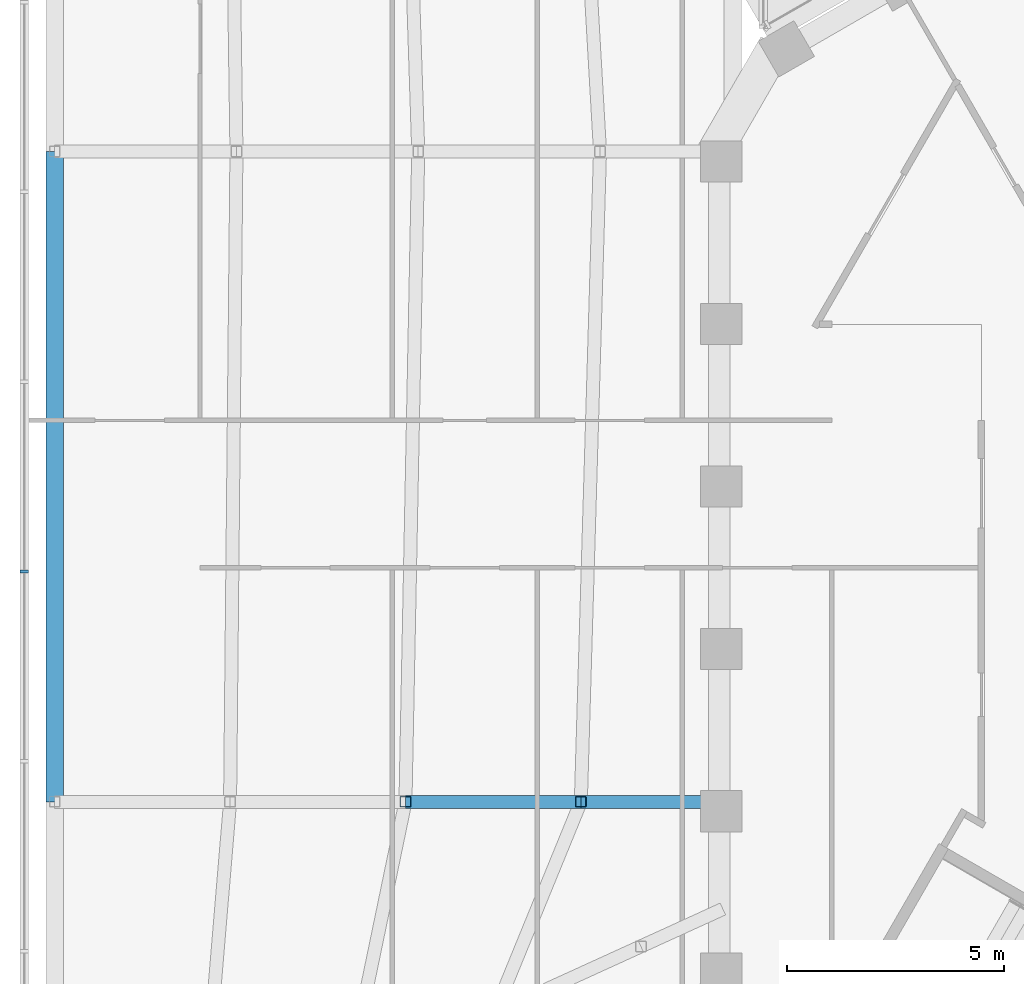
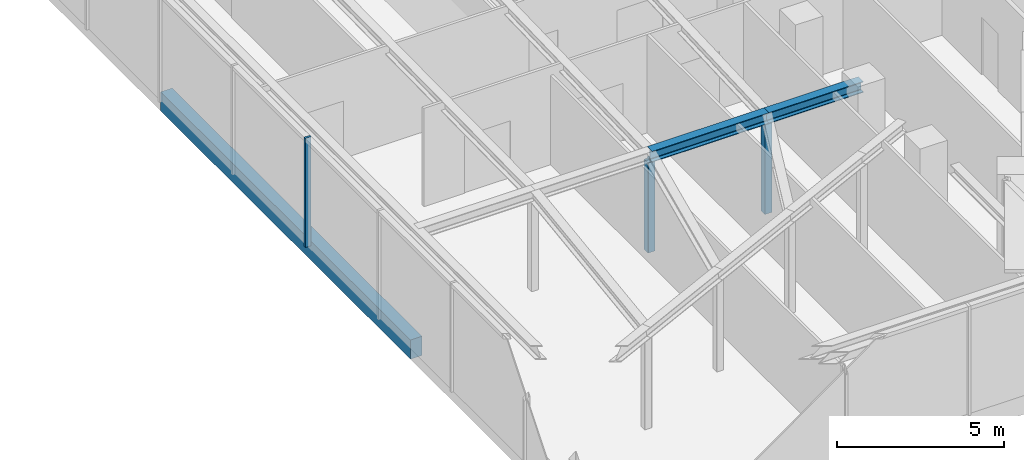
# One storey, part 3 of 24: 3 beams, 3 members, 1 element without a shape of its own.
"""IFC4 building model written with IfcOpenShell, lengths in metres."""

from ifc_helpers import new_model, si_unit, direction, frame, origin, origin_2d, place, context, subcontext, project, spatial, rectangle, hollow_rectangle, i_section, extrude, material, layer, layer_set, material_profile, profile_set, type_object, element, aggregate, save


model = new_model("IFC4")

# Units and contexts
model_context = context("Model", 3, precision=1e-05, world=origin(), true_north=direction((0.0, 1.0)))
body_context = subcontext(model_context, "Body", "Model", "MODEL_VIEW")
ifc_project = project(units=[si_unit("LENGTHUNIT", "METRE"), si_unit("AREAUNIT", "SQUARE_METRE"), si_unit("VOLUMEUNIT", "CUBIC_METRE"), si_unit("PLANEANGLEUNIT", "RADIAN"), si_unit("MASSUNIT", "GRAM", prefix="KILO")], contexts=[model_context])

# Site, building, storey
site_placement = place(None, origin())
site = spatial("IfcSite", under=ifc_project, at=site_placement, CompositionType="ELEMENT")
building_placement = place(site_placement, origin())
building = spatial("IfcBuilding", under=site, at=building_placement, Name="Ayvan Gate Tower", CompositionType="ELEMENT")
storey_placement = place(building_placement, frame((0.0, 0.0, 210.10009765625)))
storey = spatial("IfcBuildingStorey", under=building, at=storey_placement, Name="L56", CompositionType="ELEMENT", Elevation=210.10009765625)

# Beams
ifc_material_1 = material(Name="Concrete C40/50", Category="concrete")
ifc_material_profile_1 = material_profile(ifc_material_1, rectangle(XDim=0.39990234375, YDim=0.699951171875, at=origin_2d()), Name="RC 400x700")
ifc_profile_set_1 = profile_set([ifc_material_profile_1], Name="Concrete C40/50")
beam_type_1 = type_object("IfcBeamType", Name="Sky bar edge beam RC 400x700 C40/50", PredefinedType="BEAM", material=ifc_profile_set_1)
beam_1_placement = place(storey_placement, frame((-32.524169921875, -5.400146484375, -0.75), z_axis=(0.0, 1.0, 0.0), x_axis=(-1.0, 0.0, 0.0)))
element("IfcBeam", 1, at=beam_1_placement, inside=storey, type_object=beam_type_1, Name="EB-B5-L56-5", PredefinedType="BEAM", context=body_context, shape_type="SweptSolid", body=[
    extrude(rectangle(XDim=0.39990234375, YDim=0.699951171875, at=origin_2d()), origin(), (0.0, 0.0, 1.0), 15.0),
])
ifc_material_2 = material(Name="Steel S460ML", Category="steel")
ifc_material_profile_2 = material_profile(ifc_material_2, i_section(OverallWidth=0.300048828125, OverallDepth=0.39990234375, WebThickness=0.013427734375, FlangeThickness=0.02392578125, FilletRadius=0.027099609375, at=origin_2d()), Name="HE 400 B")
ifc_profile_set_2 = profile_set([ifc_material_profile_2], Name="Steel S460ML")
beam_type_2 = type_object("IfcBeamType", Name="Sky bar roof beam B5 HE 400 B", PredefinedType="BEAM", material=ifc_profile_set_2)
beam_2_placement = place(storey_placement, frame((-17.11474609375, -5.39990234375, 3.5), z_axis=(-1.0, 0.0, 0.0), x_axis=(0.0, -1.0, 0.0)))
element("IfcBeam", 2, at=beam_2_placement, inside=storey, type_object=beam_type_2, Name="RB-B5-SBT5-3-1", PredefinedType="BEAM", context=body_context, shape_type="SweptSolid", body=[
    extrude(i_section(OverallWidth=0.300048828125, OverallDepth=0.39990234375, WebThickness=0.013427734375, FlangeThickness=0.02392578125, FilletRadius=0.027099609375, at=origin_2d()), origin(), (0.0, 0.0, 1.0), 3.27490234375),
])
beam_3_placement = place(storey_placement, frame((-20.3896484375, -5.39990234375, 3.5), z_axis=(-1.0, 0.0, 0.0), x_axis=(0.0, -1.0, 0.0)))
element("IfcBeam", 3, at=beam_3_placement, inside=storey, type_object=beam_type_2, Name="RB-B5-SBT5-3-2", PredefinedType="BEAM", context=body_context, shape_type="SweptSolid", body=[
    extrude(i_section(OverallWidth=0.300048828125, OverallDepth=0.39990234375, WebThickness=0.013427734375, FlangeThickness=0.02392578125, FilletRadius=0.027099609375, at=origin_2d()), origin(), (0.0, 0.0, 1.0), 4.044921875),
])

# Members
ifc_material_3 = material(Name="Steel S460NH", Category="steel")
ifc_material_profile_3 = material_profile(ifc_material_3, hollow_rectangle(XDim=0.25, YDim=0.25, WallThickness=0.012451171875, InnerFilletRadius=0.012451171875, OuterFilletRadius=0.018798828125, at=origin_2d()), Name="RHS 250x250x12.5")
ifc_profile_set_3 = profile_set([ifc_material_profile_3], Name="Steel S460NH")
member_type_1 = type_object("IfcMemberType", Name="Sky bar roof post B5 RHS 250x250x12.5", PredefinedType="POST", material=ifc_profile_set_3)
for number, where, z_axis, x_axis, name in (
    (4, (-20.3896484375, -5.39990234375, 0.0), (0.0, 0.0, 1.0), (1.0, 0.0, 0.0), "RP-B5-SBT5-3-1"),
    (5, (-24.4345703125, -5.39990234375, 0.0), (0.0, 0.0, 1.0), (1.0, 0.0, 0.0), "RP-B5-SBT5-3-2"),
):
    element("IfcMember", number, at=place(storey_placement, frame(where, z_axis=z_axis, x_axis=x_axis)), inside=storey, type_object=member_type_1, Name=name, PredefinedType="POST", context=body_context, shape_type="SweptSolid", body=[
        extrude(hollow_rectangle(XDim=0.25, YDim=0.25, WallThickness=0.012451171875, InnerFilletRadius=0.012451171875, OuterFilletRadius=0.018798828125, at=origin_2d()), origin(), (0.0, 0.0, 1.0), 3.2998046875),
    ])

# Curtain wall, member
ifc_material_4 = material(Name="Bronze anodised aluminium", Category="aluminium")
ifc_layer = layer(ifc_material_4, 0.199951171875)
ifc_layer_set = layer_set([ifc_layer], Name="Bronze anodised aluminium")
curtain_wall_type = type_object("IfcCurtainWallType", Name="Stick curtain wall CW-4", PredefinedType="NOTDEFINED", material=ifc_layer_set)
curtain_wall_placement = place(storey_placement, origin())
curtain_wall = element("IfcCurtainWall", 6, at=curtain_wall_placement, inside=storey, type_object=curtain_wall_type, Name="Stick curtain wall CW-4 L56", PredefinedType="NOTDEFINED")
ifc_material_profile_4 = material_profile(ifc_material_4, rectangle(XDim=0.199951171875, YDim=0.080078125, at=origin_2d()), Name="Stick curtain wall CW-4 mullion 200 x 80")
ifc_profile_set_4 = profile_set([ifc_material_profile_4], Name="Bronze anodised aluminium")
member_type_2 = type_object("IfcMemberType", Name="Stick curtain wall CW-4 mullion 200 x 80", PredefinedType="MULLION", material=ifc_profile_set_4)
member_placement = place(storey_placement, frame((-33.224365234375, -0.0888671875, 0.0), z_axis=(0.0, 0.0, 1.0), x_axis=(-1.0, 0.0, 0.0)))
member = element("IfcMember", 7, at=member_placement, type_object=member_type_2, Name="CW-4 mullion 6", PredefinedType="MULLION", context=body_context, shape_type="SweptSolid", body=[
    extrude(rectangle(XDim=0.199951171875, YDim=0.080078125, at=origin_2d()), origin(), (0.0, 0.0, 1.0), 4.0),
])
aggregate(curtain_wall, [member])

save(model, "model.ifc")
